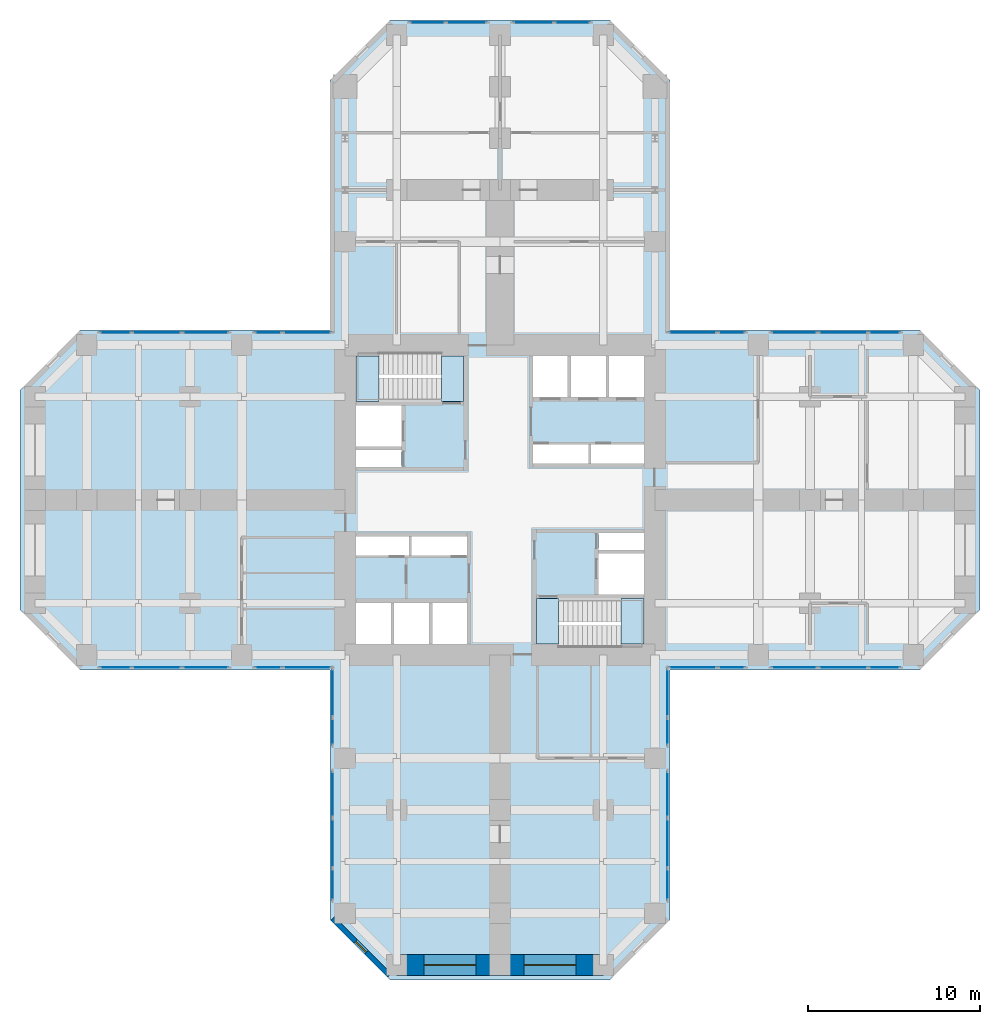
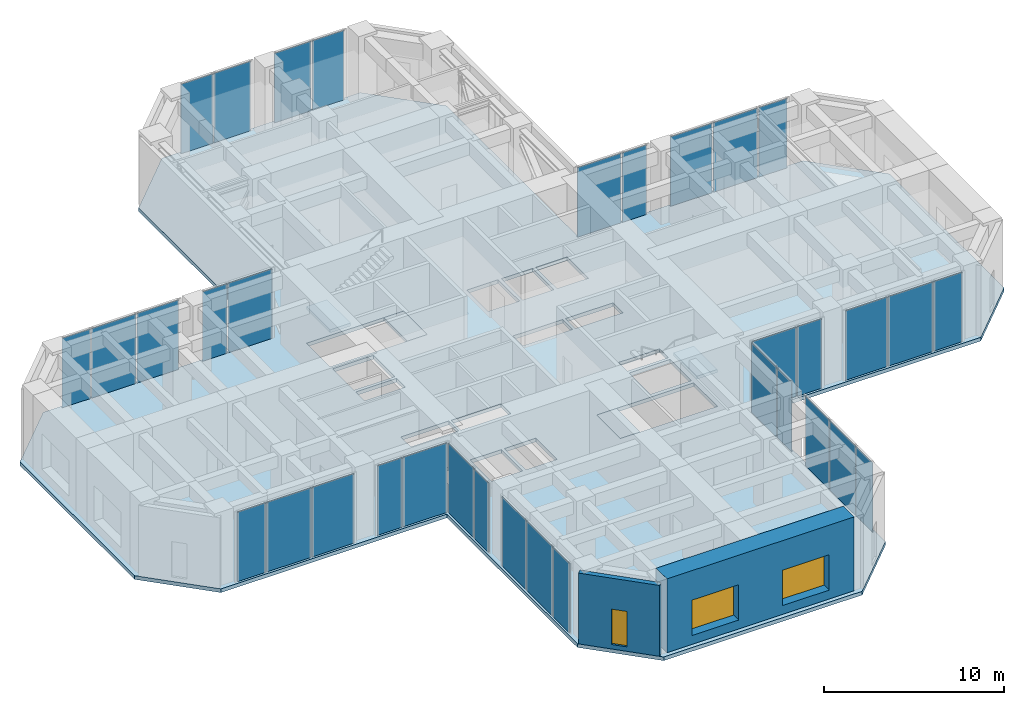
# One storey, part 6 of 11: 34 plates, 5 slabs, 3 windows, 2 walls, 3 openings, 9 elements without a shape of their own.
"""IFC4 building model written with IfcOpenShell, lengths in metres."""

from ifc_helpers import new_model, si_unit, direction, frame, frame_2d, origin, origin_2d, place, context, subcontext, project, spatial, polyline, rectangle, hollow_rectangle, outline, extrude, material, layer, layer_set, constituent, constituent_set, type_object, element, fill, aggregate, save


model = new_model("IFC4")

# Units and contexts
model_context = context("Model", 3, precision=1e-05, world=origin(), true_north=direction((0.0, 1.0)))
body_context = subcontext(model_context, "Body", "Model", "MODEL_VIEW")
ifc_project = project(units=[si_unit("LENGTHUNIT", "METRE"), si_unit("AREAUNIT", "SQUARE_METRE"), si_unit("VOLUMEUNIT", "CUBIC_METRE"), si_unit("PLANEANGLEUNIT", "RADIAN"), si_unit("MASSUNIT", "GRAM", prefix="KILO")], contexts=[model_context])

# Site, building, storey
site_placement = place(None, origin())
site = spatial("IfcSite", under=ifc_project, at=site_placement, CompositionType="ELEMENT")
building_placement = place(site_placement, origin())
building = spatial("IfcBuilding", under=site, at=building_placement, Name="Torre Cruceta", CompositionType="ELEMENT")
storey_placement = place(building_placement, frame((0.0, 0.0, 95.5)))
storey = spatial("IfcBuildingStorey", under=building, at=storey_placement, Name="L23", CompositionType="ELEMENT", Elevation=95.5)

# Curtain wall, plates
ifc_material_1 = material(Name="Aluminium unitised curtain wall", Category="aluminium")
curtain_wall_type = type_object("IfcCurtainWallType", Name="CURTAIN WALL CW-S SKY GARDEN", PredefinedType="USERDEFINED", material=ifc_material_1)
curtain_wall_1_placement = place(storey_placement, origin())
curtain_wall_1 = element("IfcCurtainWall", 1, at=curtain_wall_1_placement, inside=storey, type_object=curtain_wall_type, Name="CW-S L23 E side 00", ObjectType="UNITISED", PredefinedType="USERDEFINED")
ifc_material_2 = material(Name="Laminated insulating glass unit, low-iron clear", Category="glass")
ifc_material_3 = material(Name="Laminated insulating glass unit, low-iron clear", Category="glass")
ifc_layer_1 = layer(ifc_material_3, 0.0400390625)
ifc_layer_set_1 = layer_set([ifc_layer_1], Name="Laminated insulating glass unit, low-iron clear")
plate_type_1 = type_object("IfcPlateType", Name="CW-S OPERABLE VENT PANEL 40", PredefinedType="CURTAIN_PANEL", material=ifc_layer_set_1)
plate_1_placement = place(storey_placement, frame((13.454833984375, -9.719970703125, 0.010009765625), z_axis=(0.0, 0.0, 1.0), x_axis=(1.0, 0.0, 0.0)))
plate_1 = element("IfcPlate", 2, at=plate_1_placement, type_object=plate_type_1, material=ifc_material_2, Name="CW-S vent 2", PredefinedType="CURTAIN_PANEL", context=body_context, shape_type="SweptSolid", body=[
    extrude(rectangle(XDim=1.558349609375, YDim=0.0400390625, at=origin_2d()), origin(), (0.0, 0.0, 1.0), 4.7099609375),
])
plate_2_placement = place(storey_placement, frame((22.328369140625, -9.719970703125, 0.010009765625), z_axis=(0.0, 0.0, 1.0), x_axis=(1.0, 0.0, 0.0)))
plate_2 = element("IfcPlate", 3, at=plate_2_placement, type_object=plate_type_1, material=ifc_material_2, Name="CW-S vent 5", PredefinedType="CURTAIN_PANEL", context=body_context, shape_type="SweptSolid", body=[
    extrude(rectangle(XDim=1.8115234375, YDim=0.0400390625, at=origin_2d()), origin(), (0.0, 0.0, 1.0), 4.7099609375),
])

curtain_wall_2_placement = place(storey_placement, origin())
curtain_wall_2 = element("IfcCurtainWall", 4, at=curtain_wall_2_placement, inside=storey, type_object=curtain_wall_type, Name="CW-S L23 E side 04", ObjectType="UNITISED", PredefinedType="USERDEFINED")
plate_3_placement = place(storey_placement, frame((19.9248046875, 9.719970703125, 0.010009765625), z_axis=(0.0, 0.0, 1.0), x_axis=(-1.0, 0.0, 0.0)))
plate_3 = element("IfcPlate", 5, at=plate_3_placement, type_object=plate_type_1, material=ifc_material_2, Name="CW-S vent 2", PredefinedType="CURTAIN_PANEL", context=body_context, shape_type="SweptSolid", body=[
    extrude(rectangle(XDim=2.835693359375, YDim=0.0400390625, at=origin_2d()), origin(), (0.0, 0.0, 1.0), 4.7099609375),
])
plate_4_placement = place(storey_placement, frame((11.19775390625, 9.719970703125, 0.010009765625), z_axis=(0.0, 0.0, 1.0), x_axis=(-1.0, 0.0, 0.0)))
plate_4 = element("IfcPlate", 6, at=plate_4_placement, type_object=plate_type_1, material=ifc_material_2, Name="CW-S vent 5", PredefinedType="CURTAIN_PANEL", context=body_context, shape_type="SweptSolid", body=[
    extrude(rectangle(XDim=2.795654296875, YDim=0.0400390625, at=origin_2d()), origin(), (0.0, 0.0, 1.0), 4.7099609375),
])

# Curtain wall, plate
curtain_wall_3_placement = place(storey_placement, origin())
curtain_wall_3 = element("IfcCurtainWall", 7, at=curtain_wall_3_placement, inside=storey, type_object=curtain_wall_type, Name="CW-S L23 N tip 07", ObjectType="UNITISED", PredefinedType="USERDEFINED")
plate_5_placement = place(storey_placement, frame((1.9375, 27.719970703125, 0.010009765625), z_axis=(0.0, 0.0, 1.0), x_axis=(-1.0, 0.0, 0.0)))
plate_5 = element("IfcPlate", 8, at=plate_5_placement, type_object=plate_type_1, material=ifc_material_2, Name="CW-S vent 2", PredefinedType="CURTAIN_PANEL", context=body_context, shape_type="SweptSolid", body=[
    extrude(rectangle(XDim=2.343017578125, YDim=0.0400390625, at=origin_2d()), origin(), (0.0, 0.0, 1.0), 4.7099609375),
])

# Curtain wall, plates
curtain_wall_4_placement = place(storey_placement, origin())
curtain_wall_4 = element("IfcCurtainWall", 9, at=curtain_wall_4_placement, inside=storey, type_object=curtain_wall_type, Name="CW-S L23 W side 10", ObjectType="UNITISED", PredefinedType="USERDEFINED")
plate_6_placement = place(storey_placement, frame((-13.454833984375, 9.719970703125, 0.010009765625), z_axis=(0.0, 0.0, 1.0), x_axis=(-1.0, 0.0, 0.0)))
plate_6 = element("IfcPlate", 10, at=plate_6_placement, type_object=plate_type_1, material=ifc_material_2, Name="CW-S vent 2", PredefinedType="CURTAIN_PANEL", context=body_context, shape_type="SweptSolid", body=[
    extrude(rectangle(XDim=1.558349609375, YDim=0.0400390625, at=origin_2d()), origin(), (0.0, 0.0, 1.0), 4.7099609375),
])
plate_7_placement = place(storey_placement, frame((-22.328369140625, 9.719970703125, 0.010009765625), z_axis=(0.0, 0.0, 1.0), x_axis=(-1.0, 0.0, 0.0)))
plate_7 = element("IfcPlate", 11, at=plate_7_placement, type_object=plate_type_1, material=ifc_material_2, Name="CW-S vent 5", PredefinedType="CURTAIN_PANEL", context=body_context, shape_type="SweptSolid", body=[
    extrude(rectangle(XDim=1.8115234375, YDim=0.0400390625, at=origin_2d()), origin(), (0.0, 0.0, 1.0), 4.7099609375),
])

curtain_wall_5_placement = place(storey_placement, origin())
curtain_wall_5 = element("IfcCurtainWall", 12, at=curtain_wall_5_placement, inside=storey, type_object=curtain_wall_type, Name="CW-S L23 W side 14", ObjectType="UNITISED", PredefinedType="USERDEFINED")
plate_8_placement = place(storey_placement, frame((-19.9248046875, -9.719970703125, 0.010009765625), z_axis=(0.0, 0.0, 1.0), x_axis=(1.0, 0.0, 0.0)))
plate_8 = element("IfcPlate", 13, at=plate_8_placement, type_object=plate_type_1, material=ifc_material_2, Name="CW-S vent 2", PredefinedType="CURTAIN_PANEL", context=body_context, shape_type="SweptSolid", body=[
    extrude(rectangle(XDim=2.835693359375, YDim=0.0400390625, at=origin_2d()), origin(), (0.0, 0.0, 1.0), 4.7099609375),
])
plate_9_placement = place(storey_placement, frame((-11.19775390625, -9.719970703125, 0.010009765625), z_axis=(0.0, 0.0, 1.0), x_axis=(1.0, 0.0, 0.0)))
plate_9 = element("IfcPlate", 14, at=plate_9_placement, type_object=plate_type_1, material=ifc_material_2, Name="CW-S vent 5", PredefinedType="CURTAIN_PANEL", context=body_context, shape_type="SweptSolid", body=[
    extrude(rectangle(XDim=2.795654296875, YDim=0.0400390625, at=origin_2d()), origin(), (0.0, 0.0, 1.0), 4.7099609375),
])

curtain_wall_6_placement = place(storey_placement, origin())
curtain_wall_6 = element("IfcCurtainWall", 15, at=curtain_wall_6_placement, inside=storey, type_object=curtain_wall_type, Name="CW-S L23 S side 15", ObjectType="UNITISED", PredefinedType="USERDEFINED")
plate_10_placement = place(storey_placement, frame((-9.719970703125, -13.454833984375, 0.010009765625), z_axis=(0.0, 0.0, 1.0), x_axis=(0.0, -1.0, 0.0)))
plate_10 = element("IfcPlate", 16, at=plate_10_placement, type_object=plate_type_1, material=ifc_material_2, Name="CW-S vent 2", PredefinedType="CURTAIN_PANEL", context=body_context, shape_type="SweptSolid", body=[
    extrude(rectangle(XDim=1.558349609375, YDim=0.0400390625, at=origin_2d()), origin(), (0.0, 0.0, 1.0), 4.7099609375),
])
plate_11_placement = place(storey_placement, frame((-9.719970703125, -22.328369140625, 0.010009765625), z_axis=(0.0, 0.0, 1.0), x_axis=(0.0, -1.0, 0.0)))
plate_11 = element("IfcPlate", 17, at=plate_11_placement, type_object=plate_type_1, material=ifc_material_2, Name="CW-S vent 5", PredefinedType="CURTAIN_PANEL", context=body_context, shape_type="SweptSolid", body=[
    extrude(rectangle(XDim=1.8115234375, YDim=0.0400390625, at=origin_2d()), origin(), (0.0, 0.0, 1.0), 4.7099609375),
])

curtain_wall_7_placement = place(storey_placement, origin())
curtain_wall_7 = element("IfcCurtainWall", 18, at=curtain_wall_7_placement, inside=storey, type_object=curtain_wall_type, Name="CW-S L23 S side 19", ObjectType="UNITISED", PredefinedType="USERDEFINED")
plate_12_placement = place(storey_placement, frame((9.719970703125, -19.9248046875, 0.010009765625), z_axis=(0.0, 0.0, 1.0), x_axis=(0.0, 1.0, 0.0)))
plate_12 = element("IfcPlate", 19, at=plate_12_placement, type_object=plate_type_1, material=ifc_material_2, Name="CW-S vent 2", PredefinedType="CURTAIN_PANEL", context=body_context, shape_type="SweptSolid", body=[
    extrude(rectangle(XDim=2.835693359375, YDim=0.0400390625, at=origin_2d()), origin(), (0.0, 0.0, 1.0), 4.7099609375),
])
plate_13_placement = place(storey_placement, frame((9.719970703125, -11.19775390625, 0.010009765625), z_axis=(0.0, 0.0, 1.0), x_axis=(0.0, 1.0, 0.0)))
plate_13 = element("IfcPlate", 20, at=plate_13_placement, type_object=plate_type_1, material=ifc_material_2, Name="CW-S vent 5", PredefinedType="CURTAIN_PANEL", context=body_context, shape_type="SweptSolid", body=[
    extrude(rectangle(XDim=2.795654296875, YDim=0.0400390625, at=origin_2d()), origin(), (0.0, 0.0, 1.0), 4.7099609375),
])

# Plate
ifc_material_4 = material(Name="Laminated insulating glass unit, low-iron clear", Category="glass")
ifc_layer_2 = layer(ifc_material_4, 0.0400390625)
ifc_layer_set_2 = layer_set([ifc_layer_2], Name="Laminated insulating glass unit, low-iron clear")
plate_type_2 = type_object("IfcPlateType", Name="CW-S PANEL 40 CLEAR GLASS", PredefinedType="CURTAIN_PANEL", material=ifc_layer_set_2)
plate_14_placement = place(storey_placement, frame((11.19775390625, -9.719970703125, 0.010009765625), z_axis=(0.0, 0.0, 1.0), x_axis=(1.0, 0.0, 0.0)))
plate_14 = element("IfcPlate", 21, at=plate_14_placement, type_object=plate_type_2, material=ifc_material_2, Name="CW-S panel 1", PredefinedType="CURTAIN_PANEL", context=body_context, shape_type="SweptSolid", body=[
    extrude(rectangle(XDim=2.795654296875, YDim=0.0400390625, at=origin_2d()), origin(), (0.0, 0.0, 1.0), 4.7099609375),
])

plate_15_placement = place(storey_placement, frame((17.096435546875, -9.719970703125, 0.010009765625), z_axis=(0.0, 0.0, 1.0), x_axis=(1.0, 0.0, 0.0)))
plate_15 = element("IfcPlate", 22, at=plate_15_placement, type_object=plate_type_2, material=ifc_material_2, Name="CW-S panel 3", PredefinedType="CURTAIN_PANEL", context=body_context, shape_type="SweptSolid", body=[
    extrude(rectangle(XDim=2.660888671875, YDim=0.0400390625, at=origin_2d()), origin(), (0.0, 0.0, 1.0), 4.7099609375),
])

plate_16_placement = place(storey_placement, frame((19.9248046875, -9.719970703125, 0.010009765625), z_axis=(0.0, 0.0, 1.0), x_axis=(1.0, 0.0, 0.0)))
plate_16 = element("IfcPlate", 23, at=plate_16_placement, type_object=plate_type_2, material=ifc_material_2, Name="CW-S panel 4", PredefinedType="CURTAIN_PANEL", context=body_context, shape_type="SweptSolid", body=[
    extrude(rectangle(XDim=2.835693359375, YDim=0.0400390625, at=origin_2d()), origin(), (0.0, 0.0, 1.0), 4.7099609375),
])

aggregate(curtain_wall_1, [plate_14, plate_1, plate_15, plate_16, plate_2])

plate_17_placement = place(storey_placement, frame((22.328369140625, 9.719970703125, 0.010009765625), z_axis=(0.0, 0.0, 1.0), x_axis=(-1.0, 0.0, 0.0)))
plate_17 = element("IfcPlate", 24, at=plate_17_placement, type_object=plate_type_2, material=ifc_material_2, Name="CW-S panel 1", PredefinedType="CURTAIN_PANEL", context=body_context, shape_type="SweptSolid", body=[
    extrude(rectangle(XDim=1.8115234375, YDim=0.0400390625, at=origin_2d()), origin(), (0.0, 0.0, 1.0), 4.7099609375),
])

plate_18_placement = place(storey_placement, frame((17.096435546875, 9.719970703125, 0.010009765625), z_axis=(0.0, 0.0, 1.0), x_axis=(-1.0, 0.0, 0.0)))
plate_18 = element("IfcPlate", 25, at=plate_18_placement, type_object=plate_type_2, material=ifc_material_2, Name="CW-S panel 3", PredefinedType="CURTAIN_PANEL", context=body_context, shape_type="SweptSolid", body=[
    extrude(rectangle(XDim=2.660888671875, YDim=0.0400390625, at=origin_2d()), origin(), (0.0, 0.0, 1.0), 4.7099609375),
])

plate_19_placement = place(storey_placement, frame((13.454833984375, 9.719970703125, 0.010009765625), z_axis=(0.0, 0.0, 1.0), x_axis=(-1.0, 0.0, 0.0)))
plate_19 = element("IfcPlate", 26, at=plate_19_placement, type_object=plate_type_2, material=ifc_material_2, Name="CW-S panel 4", PredefinedType="CURTAIN_PANEL", context=body_context, shape_type="SweptSolid", body=[
    extrude(rectangle(XDim=1.558349609375, YDim=0.0400390625, at=origin_2d()), origin(), (0.0, 0.0, 1.0), 4.7099609375),
])

aggregate(curtain_wall_2, [plate_17, plate_3, plate_18, plate_19, plate_4])

plate_20_placement = place(storey_placement, frame((4.211669921875, 27.719970703125, 0.010009765625), z_axis=(0.0, 0.0, 1.0), x_axis=(-1.0, 0.0, 0.0)))
plate_20 = element("IfcPlate", 27, at=plate_20_placement, type_object=plate_type_2, material=ifc_material_2, Name="CW-S panel 1", PredefinedType="CURTAIN_PANEL", context=body_context, shape_type="SweptSolid", body=[
    extrude(rectangle(XDim=2.044921875, YDim=0.0400390625, at=origin_2d()), origin(), (0.0, 0.0, 1.0), 4.7099609375),
])

plate_21_placement = place(storey_placement, frame((-1.9375, 27.719970703125, 0.010009765625), z_axis=(0.0, 0.0, 1.0), x_axis=(-1.0, 0.0, 0.0)))
plate_21 = element("IfcPlate", 28, at=plate_21_placement, type_object=plate_type_2, material=ifc_material_2, Name="CW-S panel 3", PredefinedType="CURTAIN_PANEL", context=body_context, shape_type="SweptSolid", body=[
    extrude(rectangle(XDim=2.343017578125, YDim=0.0400390625, at=origin_2d()), origin(), (0.0, 0.0, 1.0), 4.7099609375),
])

plate_22_placement = place(storey_placement, frame((-4.211669921875, 27.719970703125, 0.010009765625), z_axis=(0.0, 0.0, 1.0), x_axis=(-1.0, 0.0, 0.0)))
plate_22 = element("IfcPlate", 29, at=plate_22_placement, type_object=plate_type_2, material=ifc_material_2, Name="CW-S panel 4", PredefinedType="CURTAIN_PANEL", context=body_context, shape_type="SweptSolid", body=[
    extrude(rectangle(XDim=2.044921875, YDim=0.0400390625, at=origin_2d()), origin(), (0.0, 0.0, 1.0), 4.7099609375),
])

aggregate(curtain_wall_3, [plate_20, plate_5, plate_21, plate_22])

plate_23_placement = place(storey_placement, frame((-11.19775390625, 9.719970703125, 0.010009765625), z_axis=(0.0, 0.0, 1.0), x_axis=(-1.0, 0.0, 0.0)))
plate_23 = element("IfcPlate", 30, at=plate_23_placement, type_object=plate_type_2, material=ifc_material_2, Name="CW-S panel 1", PredefinedType="CURTAIN_PANEL", context=body_context, shape_type="SweptSolid", body=[
    extrude(rectangle(XDim=2.795654296875, YDim=0.0400390625, at=origin_2d()), origin(), (0.0, 0.0, 1.0), 4.7099609375),
])

plate_24_placement = place(storey_placement, frame((-17.096435546875, 9.719970703125, 0.010009765625), z_axis=(0.0, 0.0, 1.0), x_axis=(-1.0, 0.0, 0.0)))
plate_24 = element("IfcPlate", 31, at=plate_24_placement, type_object=plate_type_2, material=ifc_material_2, Name="CW-S panel 3", PredefinedType="CURTAIN_PANEL", context=body_context, shape_type="SweptSolid", body=[
    extrude(rectangle(XDim=2.660888671875, YDim=0.0400390625, at=origin_2d()), origin(), (0.0, 0.0, 1.0), 4.7099609375),
])

plate_25_placement = place(storey_placement, frame((-19.9248046875, 9.719970703125, 0.010009765625), z_axis=(0.0, 0.0, 1.0), x_axis=(-1.0, 0.0, 0.0)))
plate_25 = element("IfcPlate", 32, at=plate_25_placement, type_object=plate_type_2, material=ifc_material_2, Name="CW-S panel 4", PredefinedType="CURTAIN_PANEL", context=body_context, shape_type="SweptSolid", body=[
    extrude(rectangle(XDim=2.835693359375, YDim=0.0400390625, at=origin_2d()), origin(), (0.0, 0.0, 1.0), 4.7099609375),
])

aggregate(curtain_wall_4, [plate_23, plate_6, plate_24, plate_25, plate_7])

plate_26_placement = place(storey_placement, frame((-22.328369140625, -9.719970703125, 0.010009765625), z_axis=(0.0, 0.0, 1.0), x_axis=(1.0, 0.0, 0.0)))
plate_26 = element("IfcPlate", 33, at=plate_26_placement, type_object=plate_type_2, material=ifc_material_2, Name="CW-S panel 1", PredefinedType="CURTAIN_PANEL", context=body_context, shape_type="SweptSolid", body=[
    extrude(rectangle(XDim=1.8115234375, YDim=0.0400390625, at=origin_2d()), origin(), (0.0, 0.0, 1.0), 4.7099609375),
])

plate_27_placement = place(storey_placement, frame((-17.096435546875, -9.719970703125, 0.010009765625), z_axis=(0.0, 0.0, 1.0), x_axis=(1.0, 0.0, 0.0)))
plate_27 = element("IfcPlate", 34, at=plate_27_placement, type_object=plate_type_2, material=ifc_material_2, Name="CW-S panel 3", PredefinedType="CURTAIN_PANEL", context=body_context, shape_type="SweptSolid", body=[
    extrude(rectangle(XDim=2.660888671875, YDim=0.0400390625, at=origin_2d()), origin(), (0.0, 0.0, 1.0), 4.7099609375),
])

plate_28_placement = place(storey_placement, frame((-13.454833984375, -9.719970703125, 0.010009765625), z_axis=(0.0, 0.0, 1.0), x_axis=(1.0, 0.0, 0.0)))
plate_28 = element("IfcPlate", 35, at=plate_28_placement, type_object=plate_type_2, material=ifc_material_2, Name="CW-S panel 4", PredefinedType="CURTAIN_PANEL", context=body_context, shape_type="SweptSolid", body=[
    extrude(rectangle(XDim=1.558349609375, YDim=0.0400390625, at=origin_2d()), origin(), (0.0, 0.0, 1.0), 4.7099609375),
])

aggregate(curtain_wall_5, [plate_26, plate_8, plate_27, plate_28, plate_9])

plate_29_placement = place(storey_placement, frame((-9.719970703125, -11.19775390625, 0.010009765625), z_axis=(0.0, 0.0, 1.0), x_axis=(0.0, -1.0, 0.0)))
plate_29 = element("IfcPlate", 36, at=plate_29_placement, type_object=plate_type_2, material=ifc_material_2, Name="CW-S panel 1", PredefinedType="CURTAIN_PANEL", context=body_context, shape_type="SweptSolid", body=[
    extrude(rectangle(XDim=2.795654296875, YDim=0.0400390625, at=origin_2d()), origin(), (0.0, 0.0, 1.0), 4.7099609375),
])

plate_30_placement = place(storey_placement, frame((-9.719970703125, -17.096435546875, 0.010009765625), z_axis=(0.0, 0.0, 1.0), x_axis=(0.0, -1.0, 0.0)))
plate_30 = element("IfcPlate", 37, at=plate_30_placement, type_object=plate_type_2, material=ifc_material_2, Name="CW-S panel 3", PredefinedType="CURTAIN_PANEL", context=body_context, shape_type="SweptSolid", body=[
    extrude(rectangle(XDim=2.660888671875, YDim=0.0400390625, at=origin_2d()), origin(), (0.0, 0.0, 1.0), 4.7099609375),
])

plate_31_placement = place(storey_placement, frame((-9.719970703125, -19.9248046875, 0.010009765625), z_axis=(0.0, 0.0, 1.0), x_axis=(0.0, -1.0, 0.0)))
plate_31 = element("IfcPlate", 38, at=plate_31_placement, type_object=plate_type_2, material=ifc_material_2, Name="CW-S panel 4", PredefinedType="CURTAIN_PANEL", context=body_context, shape_type="SweptSolid", body=[
    extrude(rectangle(XDim=2.835693359375, YDim=0.0400390625, at=origin_2d()), origin(), (0.0, 0.0, 1.0), 4.7099609375),
])

aggregate(curtain_wall_6, [plate_29, plate_10, plate_30, plate_31, plate_11])

plate_32_placement = place(storey_placement, frame((9.719970703125, -22.328369140625, 0.010009765625), z_axis=(0.0, 0.0, 1.0), x_axis=(0.0, 1.0, 0.0)))
plate_32 = element("IfcPlate", 39, at=plate_32_placement, type_object=plate_type_2, material=ifc_material_2, Name="CW-S panel 1", PredefinedType="CURTAIN_PANEL", context=body_context, shape_type="SweptSolid", body=[
    extrude(rectangle(XDim=1.8115234375, YDim=0.0400390625, at=origin_2d()), origin(), (0.0, 0.0, 1.0), 4.7099609375),
])

plate_33_placement = place(storey_placement, frame((9.719970703125, -17.096435546875, 0.010009765625), z_axis=(0.0, 0.0, 1.0), x_axis=(0.0, 1.0, 0.0)))
plate_33 = element("IfcPlate", 40, at=plate_33_placement, type_object=plate_type_2, material=ifc_material_2, Name="CW-S panel 3", PredefinedType="CURTAIN_PANEL", context=body_context, shape_type="SweptSolid", body=[
    extrude(rectangle(XDim=2.660888671875, YDim=0.0400390625, at=origin_2d()), origin(), (0.0, 0.0, 1.0), 4.7099609375),
])

plate_34_placement = place(storey_placement, frame((9.719970703125, -13.454833984375, 0.010009765625), z_axis=(0.0, 0.0, 1.0), x_axis=(0.0, 1.0, 0.0)))
plate_34 = element("IfcPlate", 41, at=plate_34_placement, type_object=plate_type_2, material=ifc_material_2, Name="CW-S panel 4", PredefinedType="CURTAIN_PANEL", context=body_context, shape_type="SweptSolid", body=[
    extrude(rectangle(XDim=1.558349609375, YDim=0.0400390625, at=origin_2d()), origin(), (0.0, 0.0, 1.0), 4.7099609375),
])

aggregate(curtain_wall_7, [plate_32, plate_12, plate_33, plate_34, plate_13])

# Slab
ifc_material_5 = material(Name="Concrete G35 (fck 35 MPa)", Category="concrete")
ifc_layer_3 = layer(ifc_material_5, 0.25)
ifc_layer_set_3 = layer_set([ifc_layer_3], Name="Concrete G35 (fck 35 MPa)")
slab_type_1 = type_object("IfcSlabType", Name="FLOOR SLAB 250", PredefinedType="FLOOR", material=ifc_layer_set_3)
slab_1_placement = place(storey_placement, frame((0.0, 0.0, -0.25)))
element("IfcSlab", 42, at=slab_1_placement, inside=storey, type_object=slab_type_1, Name="Floor Slab L23", PredefinedType="FLOOR", context=body_context, shape_type="SweptSolid", body=[
    extrude(outline(polyline([(9.8701171875, -9.8701171875), (9.8701171875, -24.3603515625), (6.3603515625, -27.8701171875), (-6.3603515625, -27.8701171875), (-9.8701171875, -24.3603515625), (-9.8701171875, -9.8701171875), (-24.3603515625, -9.8701171875), (-27.8701171875, -6.3603515625), (-27.8701171875, 6.3603515625), (-24.3603515625, 9.8701171875), (-9.8701171875, 9.8701171875), (-9.8701171875, 24.3603515625), (-6.3603515625, 27.8701171875), (6.3603515625, 27.8701171875), (9.8701171875, 24.3603515625), (9.8701171875, 9.8701171875), (24.3603515625, 9.8701171875), (27.8701171875, 6.3603515625), (27.8701171875, -6.3603515625), (24.3603515625, -9.8701171875), (9.8701171875, -9.8701171875)]), holes=[polyline([(1.925048828125, 5.97509765625), (3.933349609375, 5.97509765625), (3.933349609375, 8.35009765625), (1.925048828125, 8.35009765625), (1.925048828125, 5.97509765625)]), polyline([(4.13330078125, 5.97509765625), (6.1416015625, 5.97509765625), (6.1416015625, 8.35009765625), (4.13330078125, 8.35009765625), (4.13330078125, 5.97509765625)]), polyline([(6.341552734375, 5.97509765625), (8.35009765625, 5.97509765625), (8.35009765625, 8.35009765625), (6.341552734375, 8.35009765625), (6.341552734375, 5.97509765625)]), polyline([(1.925048828125, 2.125), (5.125, 2.125), (5.125, 3.22509765625), (1.925048828125, 3.22509765625), (1.925048828125, 2.125)]), polyline([(5.27490234375, 2.125), (8.35009765625, 2.125), (8.35009765625, 3.22509765625), (5.27490234375, 3.22509765625), (5.27490234375, 2.125)]), polyline([(-8.35009765625, 3.10009765625), (-5.72509765625, 3.10009765625), (-5.72509765625, 5.47509765625), (-8.35009765625, 5.47509765625), (-8.35009765625, 3.10009765625)]), polyline([(-8.35009765625, 1.925048828125), (-5.72509765625, 1.925048828125), (-5.72509765625, 2.89990234375), (-8.35009765625, 2.89990234375), (-8.35009765625, 1.925048828125)]), polyline([(-3.933349609375, -8.35009765625), (-1.925048828125, -8.35009765625), (-1.925048828125, -5.97509765625), (-3.933349609375, -5.97509765625), (-3.933349609375, -8.35009765625)]), polyline([(-6.1416015625, -8.35009765625), (-4.13330078125, -8.35009765625), (-4.13330078125, -5.97509765625), (-6.1416015625, -5.97509765625), (-6.1416015625, -8.35009765625)]), polyline([(-8.35009765625, -8.35009765625), (-6.341552734375, -8.35009765625), (-6.341552734375, -5.97509765625), (-8.35009765625, -5.97509765625), (-8.35009765625, -8.35009765625)]), polyline([(-5.125, -3.22509765625), (-1.925048828125, -3.22509765625), (-1.925048828125, -2.125), (-5.125, -2.125), (-5.125, -3.22509765625)]), polyline([(-8.35009765625, -3.22509765625), (-5.27490234375, -3.22509765625), (-5.27490234375, -2.125), (-8.35009765625, -2.125), (-8.35009765625, -3.22509765625)]), polyline([(5.72509765625, -5.47509765625), (8.35009765625, -5.47509765625), (8.35009765625, -3.10009765625), (5.72509765625, -3.10009765625), (5.72509765625, -5.47509765625)]), polyline([(5.72509765625, -2.89990234375), (8.35009765625, -2.89990234375), (8.35009765625, -1.925048828125), (5.72509765625, -1.925048828125), (5.72509765625, -2.89990234375)]), polyline([(-8.35009765625, 5.72509765625), (-8.35009765625, 8.35009765625), (-3.39990234375, 8.35009765625), (-2.125, 8.35009765625), (-2.125, 5.72509765625), (-3.39990234375, 5.72509765625), (-8.35009765625, 5.72509765625)]), polyline([(2.125, -5.72509765625), (3.39990234375, -5.72509765625), (8.35009765625, -5.72509765625), (8.35009765625, -8.35009765625), (3.39990234375, -8.35009765625), (2.125, -8.35009765625), (2.125, -5.72509765625)])]), origin(), (0.0, 0.0, 1.0), 0.25),
])

# Stair, slab
ifc_material_6 = material(Name="Concrete G30 (fck 30 MPa)", Category="concrete")
stair_type = type_object("IfcStairType", Name="STAIR HALF-TURN 1300", PredefinedType="HALF_TURN_STAIR", material=ifc_material_6)
stair_1_placement = place(storey_placement, origin())
stair_1 = element("IfcStair", 43, at=stair_1_placement, inside=storey, type_object=stair_type, Name="Stair ST1 L23", PredefinedType="HALF_TURN_STAIR")
ifc_material_7 = material(Name="Concrete G30 (fck 30 MPa)", Category="concrete")
ifc_layer_4 = layer(ifc_material_7, 0.199951171875)
ifc_layer_set_4 = layer_set([ifc_layer_4], Name="Concrete G30 (fck 30 MPa)")
slab_type_2 = type_object("IfcSlabType", Name="STAIR LANDING 200", PredefinedType="LANDING", material=ifc_layer_set_4)
slab_2_placement = place(storey_placement, frame((0.0, 0.0, 2.300048828125)))
slab_2 = element("IfcSlab", 44, at=slab_2_placement, type_object=slab_type_2, Name="ST1 landing 1", PredefinedType="LANDING", context=body_context, shape_type="SweptSolid", body=[
    extrude(outline(polyline([(-8.35009765625, 5.72509765625), (-7.0400390625, 5.72509765625), (-7.0400390625, 8.35009765625), (-8.35009765625, 8.35009765625), (-8.35009765625, 5.72509765625)])), origin(), (0.0, 0.0, 1.0), 0.199951171875),
])
aggregate(stair_1, [slab_2])

stair_2_placement = place(storey_placement, origin())
stair_2 = element("IfcStair", 45, at=stair_2_placement, inside=storey, type_object=stair_type, Name="Stair ST2 L23", PredefinedType="HALF_TURN_STAIR")
slab_3_placement = place(storey_placement, frame((0.0, 0.0, 2.300048828125)))
slab_3 = element("IfcSlab", 46, at=slab_3_placement, type_object=slab_type_2, Name="ST2 landing 1", PredefinedType="LANDING", context=body_context, shape_type="SweptSolid", body=[
    extrude(outline(polyline([(7.0400390625, -8.35009765625), (8.35009765625, -8.35009765625), (8.35009765625, -5.72509765625), (7.0400390625, -5.72509765625), (7.0400390625, -8.35009765625)])), origin(), (0.0, 0.0, 1.0), 0.199951171875),
])
aggregate(stair_2, [slab_3])

# Slabs
slab_4_placement = place(storey_placement, frame((0.0, 0.0, -0.199951171875)))
element("IfcSlab", 47, at=slab_4_placement, inside=storey, type_object=slab_type_2, Name="Stair ST1 floor landing L23", PredefinedType="LANDING", context=body_context, shape_type="SweptSolid", body=[
    extrude(outline(polyline([(-2.125, 8.35009765625), (-2.125, 5.72509765625), (-3.39990234375, 5.72509765625), (-3.39990234375, 8.35009765625), (-2.125, 8.35009765625)])), origin(), (0.0, 0.0, 1.0), 0.199951171875),
])
slab_5_placement = place(storey_placement, frame((0.0, 0.0, -0.199951171875)))
element("IfcSlab", 48, at=slab_5_placement, inside=storey, type_object=slab_type_2, Name="Stair ST2 floor landing L23", PredefinedType="LANDING", context=body_context, shape_type="SweptSolid", body=[
    extrude(outline(polyline([(2.125, -8.35009765625), (2.125, -5.72509765625), (3.39990234375, -5.72509765625), (3.39990234375, -8.35009765625), (2.125, -8.35009765625)])), origin(), (0.0, 0.0, 1.0), 0.199951171875),
])

# Wall, opening, window
ifc_material_8 = material(Name="Concrete G30 (fck 30 MPa)", Category="concrete")
ifc_layer_5 = layer(ifc_material_8, 0.300048828125)
ifc_layer_set_5 = layer_set([ifc_layer_5], Name="Concrete G30 (fck 30 MPa)")
wall_type_1 = type_object("IfcWallType", Name="EXPOSED CONCRETE FACADE WALL 300", PredefinedType="SOLIDWALL", material=ifc_layer_set_5)
wall_1_placement = place(storey_placement, frame((-9.719970703125, -24.29833984375, 0.0), z_axis=(0.0, 0.0, 1.0), x_axis=(0.707106781187, -0.707106781187, 0.0)))
wall_1 = element("IfcWall", 49, at=wall_1_placement, inside=storey, type_object=wall_type_1, Name="EW1 facade wall L23 S chamfer 16", PredefinedType="SOLIDWALL", context=body_context, shape_type="SweptSolid", body=[
    extrude(rectangle(XDim=4.66943359375, YDim=0.300048828125, at=frame_2d((2.334716796875, 0.0))), origin(), (0.0, 0.0, 1.0), 4.800048828125),
])
opening_1_placement = place(wall_1_placement, frame((1.884765625, 0.0, 0.300048828125)))
opening_1 = element("IfcOpeningElement", 50, at=opening_1_placement, cuts=wall_1, Name="Opening WN5", PredefinedType="OPENING", context=body_context, shape_type="SweptSolid", body=[
    extrude(rectangle(XDim=0.89990234375, YDim=2.39990234375, at=frame_2d((0.449951171875, 1.199951171875))), frame((0.0, 0.159912109375, 0.0), z_axis=(0.0, -1.0, 0.0), x_axis=(1.0, 0.0, 0.0)), (0.0, 0.0, 1.0), 0.320068359375),
])
ifc_material_9 = material(Name="Aluminium window frame", Category="aluminium")
ifc_constituent_1 = constituent(ifc_material_9, Name="Frame")
ifc_material_10 = material(Name="Laminated insulating glass unit, low-iron clear", Category="glass")
ifc_constituent_2 = constituent(ifc_material_10, Name="Glazing")
ifc_constituent_set_1 = constituent_set(constituents=[ifc_constituent_1, ifc_constituent_2], Name="Aluminium window")
window_type_1 = type_object("IfcWindowType", Name="CHAMFER SLOT WINDOW 900X2400", PartitioningType="SINGLE_PANEL", PredefinedType="WINDOW", material=ifc_constituent_set_1)
window_1_placement = place(opening_1_placement, origin())
window_1 = element("IfcWindow", 51, at=window_1_placement, inside=storey, type_object=window_type_1, Name="WN5 L23 S 1", OverallHeight=2.39990234375, OverallWidth=0.89990234375, PartitioningType="SINGLE_PANEL", PredefinedType="WINDOW", context=body_context, shape_type="SweptSolid", body=[
    extrude(hollow_rectangle(XDim=0.89990234375, YDim=2.39990234375, WallThickness=0.06005859375, at=frame_2d((0.449951171875, 1.199951171875))), frame((0.0, 0.030029296875, 0.0), z_axis=(0.0, -1.0, 0.0), x_axis=(1.0, 0.0, 0.0)), (0.0, 0.0, 1.0), 0.06005859375),
    extrude(rectangle(XDim=0.77880859375, YDim=2.27880859375, at=frame_2d((0.449951171875, 1.199951171875))), frame((0.0, 0.030029296875, 0.0), z_axis=(0.0, -1.0, 0.0), x_axis=(1.0, 0.0, 0.0)), (0.0, 0.0, 1.0), 0.06005859375),
])
fill(opening_1, window_1)

# Wall, openings, windows
ifc_material_11 = material(Name="Concrete G60 (fck 60 MPa)", Category="concrete")
ifc_layer_6 = layer(ifc_material_11, 1.199951171875)
ifc_layer_set_6 = layer_set([ifc_layer_6], Name="Concrete G60 (fck 60 MPa)")
wall_type_2 = type_object("IfcWallType", Name="NOSE WALL 1200 G60", PredefinedType="SHEAR", material=ifc_layer_set_6)
wall_2_placement = place(storey_placement, frame((-6.0, -27.0, 0.0), z_axis=(0.0, 0.0, 1.0), x_axis=(1.0, 0.0, 0.0)))
wall_2 = element("IfcWall", 52, at=wall_2_placement, inside=storey, type_object=wall_type_2, Name="NW1 nose wall L23 S", PredefinedType="SHEAR", context=body_context, shape_type="SweptSolid", body=[
    extrude(rectangle(XDim=12.0, YDim=1.199951171875, at=frame_2d((6.0, 0.0))), origin(), (0.0, 0.0, 1.0), 5.0),
])
opening_2_placement = place(wall_2_placement, frame((1.60009765625, 0.0, 0.60009765625)))
opening_2 = element("IfcOpeningElement", 53, at=opening_2_placement, cuts=wall_2, Name="Opening WN6", PredefinedType="OPENING", context=body_context, shape_type="SweptSolid", body=[
    extrude(rectangle(XDim=3.0, YDim=2.39990234375, at=frame_2d((1.5, 1.199951171875))), frame((0.0, 0.60986328125, 0.0), z_axis=(0.0, -1.0, 0.0), x_axis=(1.0, 0.0, 0.0)), (0.0, 0.0, 1.0), 1.219970703125),
])
opening_3_placement = place(wall_2_placement, frame((7.39990234375, 0.0, 0.60009765625)))
opening_3 = element("IfcOpeningElement", 54, at=opening_3_placement, cuts=wall_2, Name="Opening WN6", PredefinedType="OPENING", context=body_context, shape_type="SweptSolid", body=[
    extrude(rectangle(XDim=3.0, YDim=2.39990234375, at=frame_2d((1.5, 1.199951171875))), frame((0.0, 0.60986328125, 0.0), z_axis=(0.0, -1.0, 0.0), x_axis=(1.0, 0.0, 0.0)), (0.0, 0.0, 1.0), 1.219970703125),
])
ifc_material_12 = material(Name="Aluminium window frame", Category="aluminium")
ifc_constituent_3 = constituent(ifc_material_12, Name="Frame")
ifc_material_13 = material(Name="Laminated insulating glass unit, low-iron clear", Category="glass")
ifc_constituent_4 = constituent(ifc_material_13, Name="Glazing")
ifc_constituent_set_2 = constituent_set(constituents=[ifc_constituent_3, ifc_constituent_4], Name="Aluminium window")
window_type_2 = type_object("IfcWindowType", Name="NOSE WALL WINDOW 3000X2400", PartitioningType="SINGLE_PANEL", PredefinedType="WINDOW", material=ifc_constituent_set_2)
window_2_placement = place(opening_2_placement, origin())
window_2 = element("IfcWindow", 55, at=window_2_placement, inside=storey, type_object=window_type_2, Name="WN6 L23 S 1", OverallHeight=2.39990234375, OverallWidth=3.0, PartitioningType="SINGLE_PANEL", PredefinedType="WINDOW", context=body_context, shape_type="SweptSolid", body=[
    extrude(hollow_rectangle(XDim=3.0, YDim=2.39990234375, WallThickness=0.06005859375, at=frame_2d((1.5, 1.199951171875))), frame((0.0, 0.030029296875, 0.0), z_axis=(0.0, -1.0, 0.0), x_axis=(1.0, 0.0, 0.0)), (0.0, 0.0, 1.0), 0.06005859375),
    extrude(rectangle(XDim=2.87890625, YDim=2.27880859375, at=frame_2d((1.5, 1.199951171875))), frame((0.0, 0.030029296875, 0.0), z_axis=(0.0, -1.0, 0.0), x_axis=(1.0, 0.0, 0.0)), (0.0, 0.0, 1.0), 0.06005859375),
])
fill(opening_2, window_2)
window_3_placement = place(opening_3_placement, origin())
window_3 = element("IfcWindow", 56, at=window_3_placement, inside=storey, type_object=window_type_2, Name="WN6 L23 S 2", OverallHeight=2.39990234375, OverallWidth=3.0, PartitioningType="SINGLE_PANEL", PredefinedType="WINDOW", context=body_context, shape_type="SweptSolid", body=[
    extrude(hollow_rectangle(XDim=3.0, YDim=2.39990234375, WallThickness=0.06005859375, at=frame_2d((1.5, 1.199951171875))), frame((0.0, 0.030029296875, 0.0), z_axis=(0.0, -1.0, 0.0), x_axis=(1.0, 0.0, 0.0)), (0.0, 0.0, 1.0), 0.06005859375),
    extrude(rectangle(XDim=2.87890625, YDim=2.27880859375, at=frame_2d((1.5, 1.199951171875))), frame((0.0, 0.030029296875, 0.0), z_axis=(0.0, -1.0, 0.0), x_axis=(1.0, 0.0, 0.0)), (0.0, 0.0, 1.0), 0.06005859375),
])
fill(opening_3, window_3)

save(model, "model.ifc")
